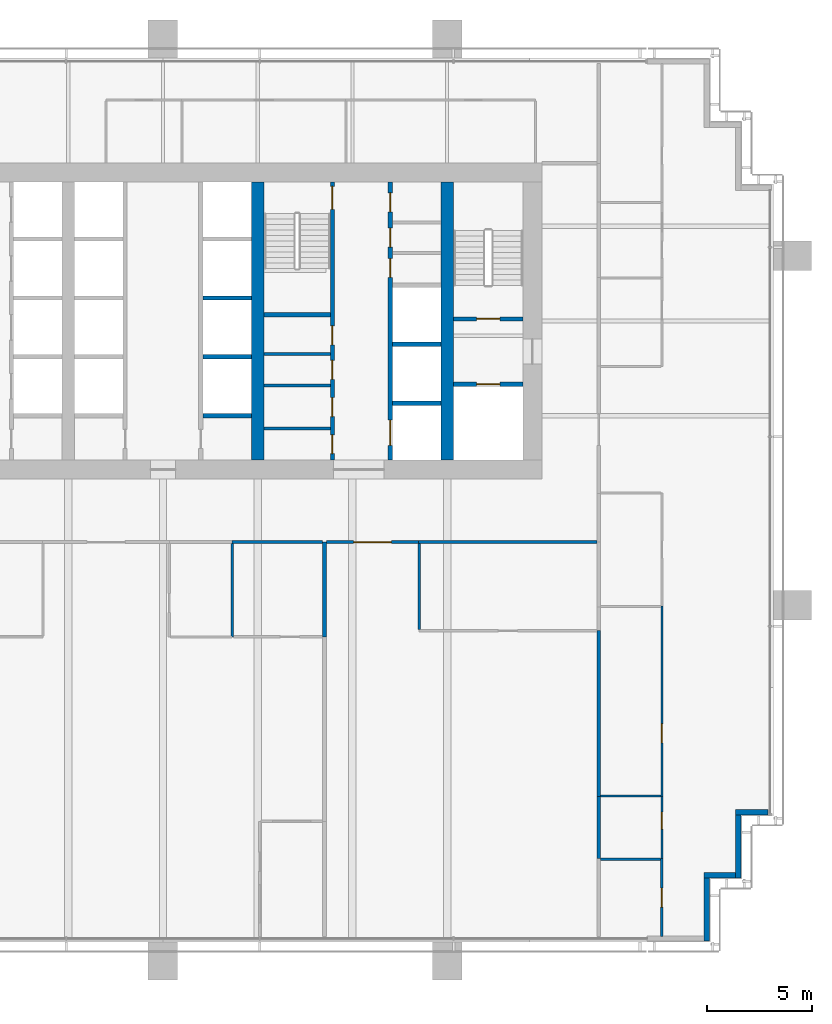
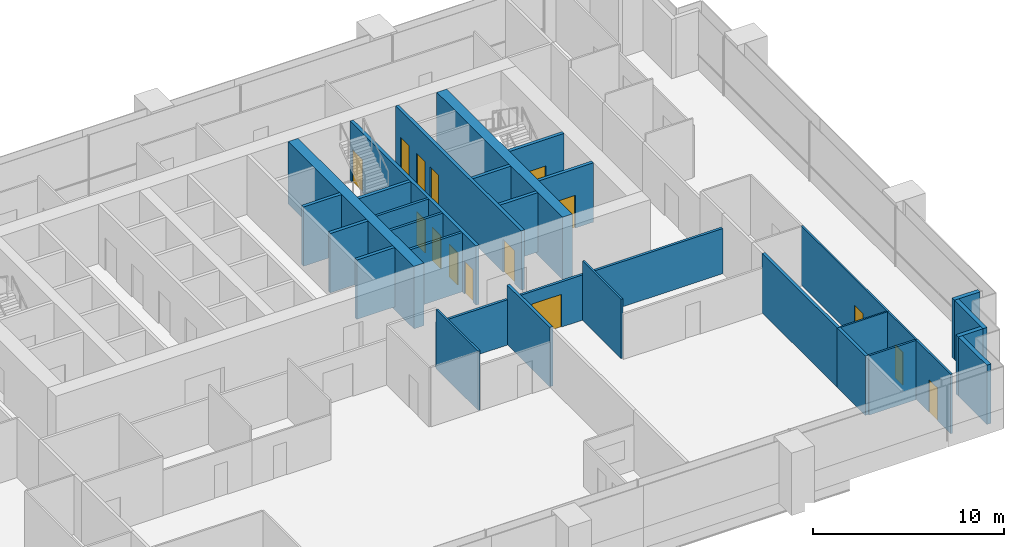
# One storey, part 12 of 18: 32 walls, 15 doors, 15 openings.
"""IFC4 building model written with IfcOpenShell, lengths in metres."""

from ifc_helpers import new_model, si_unit, direction, frame, frame_2d, origin, place, context, subcontext, project, spatial, rectangle, extrude, material, layer, layer_set, type_object, element, fill, save


model = new_model("IFC4")

# Units and contexts
model_context = context("Model", 3, precision=1e-05, world=origin(), true_north=direction((0.0, 1.0)))
body_context = subcontext(model_context, "Body", "Model", "MODEL_VIEW")
ifc_project = project(units=[si_unit("LENGTHUNIT", "METRE"), si_unit("AREAUNIT", "SQUARE_METRE"), si_unit("VOLUMEUNIT", "CUBIC_METRE"), si_unit("PLANEANGLEUNIT", "RADIAN"), si_unit("MASSUNIT", "GRAM", prefix="KILO")], contexts=[model_context])

# Site, building, storey
site_placement = place(None, origin())
site = spatial("IfcSite", under=ifc_project, at=site_placement, CompositionType="ELEMENT")
building_placement = place(site_placement, origin())
building = spatial("IfcBuilding", under=site, at=building_placement, Name="Rattan Terrace Tower", CompositionType="ELEMENT")
storey_placement = place(building_placement, frame((0.0, 0.0, 134.10009765625)))
storey = spatial("IfcBuildingStorey", under=building, at=storey_placement, Name="L30", CompositionType="ELEMENT", Elevation=134.10009765625)

# Walls
ifc_material_1 = material(Name="Gypsum board partition")
ifc_layer_1 = layer(ifc_material_1, 0.14990234375)
ifc_layer_set_1 = layer_set([ifc_layer_1], Name="Core partition 150")
wall_type_1 = type_object("IfcWallType", Name="Core partition 150", PredefinedType="PARTITIONING", material=ifc_layer_set_1)
for number, where, z_axis, x_axis, name in (
    (1, (4.800048828125, -5.10400390625, 0.0), (0.0, 0.0, 1.0), (1.0, 0.0, 0.0), "Toilet wall"),
    (2, (4.800048828125, -3.06396484375, 0.0), (0.0, 0.0, 1.0), (1.0, 0.0, 0.0), "Toilet wall"),
    (3, (4.800048828125, -1.568115234375, 0.0), (0.0, 0.0, 1.0), (1.0, 0.0, 0.0), "Toilet wall"),
):
    element("IfcWall", number, at=place(storey_placement, frame(where, z_axis=z_axis, x_axis=x_axis)), inside=storey, type_object=wall_type_1, Name=name, PredefinedType="PARTITIONING", context=body_context, shape_type="SweptSolid", body=[
        extrude(rectangle(XDim=3.14990234375, YDim=0.14990234375, at=frame_2d((1.574951171875, 0.0))), origin(), (0.0, 0.0, 1.0), 3.7998046875),
    ])

# Wall, opening, door
ifc_material_2 = material(Name="Gypsum board partition")
ifc_layer_2 = layer(ifc_material_2, 0.199951171875)
ifc_layer_set_2 = layer_set([ifc_layer_2], Name="Core partition 200")
wall_type_2 = type_object("IfcWallType", Name="Core partition 200", PredefinedType="PARTITIONING", material=ifc_layer_set_2)
wall_1_placement = place(storey_placement, frame((13.800048828125, -3.0, 0.0), z_axis=(0.0, 0.0, 1.0), x_axis=(1.0, 0.0, 0.0)))
wall_1 = element("IfcWall", 4, at=wall_1_placement, inside=storey, type_object=wall_type_2, Name="Fire-fighting lobby wall", PredefinedType="PARTITIONING", context=body_context, shape_type="SweptSolid", body=[
    extrude(rectangle(XDim=3.300048828125, YDim=0.199951171875, at=frame_2d((1.64990234375, 0.0))), origin(), (0.0, 0.0, 1.0), 3.7998046875),
])
opening_1_placement = place(wall_1_placement, frame((1.10009765625, 0.0, 0.0)))
opening_1 = element("IfcOpeningElement", 5, at=opening_1_placement, cuts=wall_1, Name="Opening L30-LD-FF2", PredefinedType="OPENING", context=body_context, shape_type="SweptSolid", body=[
    extrude(rectangle(XDim=1.10009765625, YDim=2.10009765625, at=frame_2d((0.550048828125, 1.050048828125))), frame((0.0, 0.110595703125, 0.0), z_axis=(0.0, -1.0, 0.0), x_axis=(1.0, 0.0, 0.0)), (0.0, 0.0, 1.0), 0.220947265625),
])
ifc_material_3 = material(Name="Brushed stainless landing door panel")
door_type_1 = type_object("IfcDoorType", Name="Core lift landing door 1100", OperationType="DOUBLE_DOOR_SLIDING", PredefinedType="DOOR", material=ifc_material_3)
door_1_placement = place(opening_1_placement, origin())
door_1 = element("IfcDoor", 6, at=door_1_placement, inside=storey, type_object=door_type_1, Name="Door L30-LD-FF2", OperationType="DOUBLE_DOOR_SLIDING", OverallHeight=2.10009765625, OverallWidth=1.10009765625, PredefinedType="DOOR", context=body_context, shape_type="SweptSolid", body=[
    extrude(rectangle(XDim=1.10009765625, YDim=2.10009765625, at=frame_2d((0.550048828125, 1.050048828125))), frame((0.0, 0.02490234375, 0.0), z_axis=(0.0, -1.0, 0.0), x_axis=(1.0, 0.0, 0.0)), (0.0, 0.0, 1.0), 0.050048828125),
])
fill(opening_1, door_1)

wall_2_placement = place(storey_placement, frame((13.800048828125, 0.10009765625, 0.0), z_axis=(0.0, 0.0, 1.0), x_axis=(1.0, 0.0, 0.0)))
wall_2 = element("IfcWall", 7, at=wall_2_placement, inside=storey, type_object=wall_type_2, Name="Stair enclosure wall", PredefinedType="PARTITIONING", context=body_context, shape_type="SweptSolid", body=[
    extrude(rectangle(XDim=3.300048828125, YDim=0.199951171875, at=frame_2d((1.64990234375, 0.0))), origin(), (0.0, 0.0, 1.0), 3.7998046875),
])
opening_2_placement = place(wall_2_placement, frame((1.10009765625, 0.0, 0.0)))
opening_2 = element("IfcOpeningElement", 8, at=opening_2_placement, cuts=wall_2, Name="Opening L30-D004", PredefinedType="OPENING", context=body_context, shape_type="SweptSolid", body=[
    extrude(rectangle(XDim=1.10009765625, YDim=2.10009765625, at=frame_2d((0.550048828125, 1.050048828125))), frame((0.0, 0.110595703125, 0.0), z_axis=(0.0, -1.0, 0.0), x_axis=(1.0, 0.0, 0.0)), (0.0, 0.0, 1.0), 0.220947265625),
])
ifc_material_4 = material(Name="Hollow-metal fire door leaf")
door_type_2 = type_object("IfcDoorType", Name="Core stair door 1100", OperationType="NOTDEFINED", PredefinedType="DOOR", material=ifc_material_4)
door_2_placement = place(opening_2_placement, origin())
door_2 = element("IfcDoor", 9, at=door_2_placement, inside=storey, type_object=door_type_2, Name="Door L30-D004", OperationType="SINGLE_SWING_RIGHT", OverallHeight=2.10009765625, OverallWidth=1.10009765625, PredefinedType="DOOR", context=body_context, shape_type="SweptSolid", body=[
    extrude(rectangle(XDim=1.10009765625, YDim=2.10009765625, at=frame_2d((0.550048828125, 1.050048828125))), frame((0.0, 0.02490234375, 0.0), z_axis=(0.0, -1.0, 0.0), x_axis=(1.0, 0.0, 0.0)), (0.0, 0.0, 1.0), 0.050048828125),
])
fill(opening_2, door_2)

# Wall, openings, doors
wall_3_placement = place(storey_placement, frame((8.050048828125, -6.60009765625, 0.0), z_axis=(0.0, 0.0, 1.0), x_axis=(0.0, 1.0, 0.0)))
wall_3 = element("IfcWall", 10, at=wall_3_placement, inside=storey, type_object=wall_type_2, Name="Lobby wall west", PredefinedType="PARTITIONING", context=body_context, shape_type="SweptSolid", body=[
    extrude(rectangle(XDim=13.2001953125, YDim=0.199951171875, at=frame_2d((6.60009765625, 0.0))), origin(), (0.0, 0.0, 1.0), 3.7998046875),
])
opening_3_placement = place(wall_3_placement, frame((0.298095703125, 0.0, 0.0)))
opening_3 = element("IfcOpeningElement", 11, at=opening_3_placement, cuts=wall_3, Name="Opening L30-D011", PredefinedType="OPENING", context=body_context, shape_type="SweptSolid", body=[
    extrude(rectangle(XDim=0.89990234375, YDim=2.10009765625, at=frame_2d((0.449951171875, 1.050048828125))), frame((0.0, 0.110595703125, 0.0), z_axis=(0.0, -1.0, 0.0), x_axis=(1.0, 0.0, 0.0)), (0.0, 0.0, 1.0), 0.220947265625),
])
opening_4_placement = place(wall_3_placement, frame((2.06591796875, 0.0, 0.0)))
opening_4 = element("IfcOpeningElement", 12, at=opening_4_placement, cuts=wall_3, Name="Opening L30-D012", PredefinedType="OPENING", context=body_context, shape_type="SweptSolid", body=[
    extrude(rectangle(XDim=0.89990234375, YDim=2.10009765625, at=frame_2d((0.449951171875, 1.050048828125))), frame((0.0, 0.110595703125, 0.0), z_axis=(0.0, -1.0, 0.0), x_axis=(1.0, 0.0, 0.0)), (0.0, 0.0, 1.0), 0.220947265625),
])
opening_5_placement = place(wall_3_placement, frame((3.833984375, 0.0, 0.0)))
opening_5 = element("IfcOpeningElement", 13, at=opening_5_placement, cuts=wall_3, Name="Opening L30-D013", PredefinedType="OPENING", context=body_context, shape_type="SweptSolid", body=[
    extrude(rectangle(XDim=0.89990234375, YDim=2.10009765625, at=frame_2d((0.449951171875, 1.050048828125))), frame((0.0, 0.110595703125, 0.0), z_axis=(0.0, -1.0, 0.0), x_axis=(1.0, 0.0, 0.0)), (0.0, 0.0, 1.0), 0.220947265625),
])
opening_6_placement = place(wall_3_placement, frame((5.466064453125, 0.0, 0.0)))
opening_6 = element("IfcOpeningElement", 14, at=opening_6_placement, cuts=wall_3, Name="Opening L30-D014", PredefinedType="OPENING", context=body_context, shape_type="SweptSolid", body=[
    extrude(rectangle(XDim=0.89990234375, YDim=2.10009765625, at=frame_2d((0.449951171875, 1.050048828125))), frame((0.0, 0.110595703125, 0.0), z_axis=(0.0, -1.0, 0.0), x_axis=(1.0, 0.0, 0.0)), (0.0, 0.0, 1.0), 0.220947265625),
])
opening_7_placement = place(wall_3_placement, frame((11.89990234375, 0.0, 0.0)))
opening_7 = element("IfcOpeningElement", 15, at=opening_7_placement, cuts=wall_3, Name="Opening L30-D015", PredefinedType="OPENING", context=body_context, shape_type="SweptSolid", body=[
    extrude(rectangle(XDim=1.10009765625, YDim=2.10009765625, at=frame_2d((0.550048828125, 1.050048828125))), frame((0.0, 0.110595703125, 0.0), z_axis=(0.0, -1.0, 0.0), x_axis=(1.0, 0.0, 0.0)), (0.0, 0.0, 1.0), 0.220947265625),
])
ifc_material_5 = material(Name="Hollow-metal fire door leaf")
door_type_3 = type_object("IfcDoorType", Name="Core service room door 900", OperationType="NOTDEFINED", PredefinedType="DOOR", material=ifc_material_5)
door_3_placement = place(opening_6_placement, origin())
door_3 = element("IfcDoor", 16, at=door_3_placement, inside=storey, type_object=door_type_3, Name="Door L30-D014", OperationType="SINGLE_SWING_LEFT", OverallHeight=2.10009765625, OverallWidth=0.89990234375, PredefinedType="DOOR", context=body_context, shape_type="SweptSolid", body=[
    extrude(rectangle(XDim=0.89990234375, YDim=2.10009765625, at=frame_2d((0.449951171875, 1.050048828125))), frame((0.0, 0.02490234375, 0.0), z_axis=(0.0, -1.0, 0.0), x_axis=(1.0, 0.0, 0.0)), (0.0, 0.0, 1.0), 0.050048828125),
])
fill(opening_6, door_3)
door_4_placement = place(opening_7_placement, origin())
door_4 = element("IfcDoor", 17, at=door_4_placement, inside=storey, type_object=door_type_2, Name="Door L30-D015", OperationType="SINGLE_SWING_RIGHT", OverallHeight=2.10009765625, OverallWidth=1.10009765625, PredefinedType="DOOR", context=body_context, shape_type="SweptSolid", body=[
    extrude(rectangle(XDim=1.10009765625, YDim=2.10009765625, at=frame_2d((0.550048828125, 1.050048828125))), frame((0.0, 0.02490234375, 0.0), z_axis=(0.0, -1.0, 0.0), x_axis=(1.0, 0.0, 0.0)), (0.0, 0.0, 1.0), 0.050048828125),
])
fill(opening_7, door_4)
ifc_material_6 = material(Name="Hollow-metal fire door leaf")
door_type_4 = type_object("IfcDoorType", Name="Core toilet door 900", OperationType="NOTDEFINED", PredefinedType="DOOR", material=ifc_material_6)
door_5_placement = place(opening_3_placement, origin())
door_5 = element("IfcDoor", 18, at=door_5_placement, inside=storey, type_object=door_type_4, Name="Door L30-D011", OperationType="SINGLE_SWING_RIGHT", OverallHeight=2.10009765625, OverallWidth=0.89990234375, PredefinedType="DOOR", context=body_context, shape_type="SweptSolid", body=[
    extrude(rectangle(XDim=0.89990234375, YDim=2.10009765625, at=frame_2d((0.449951171875, 1.050048828125))), frame((0.0, 0.02490234375, 0.0), z_axis=(0.0, -1.0, 0.0), x_axis=(1.0, 0.0, 0.0)), (0.0, 0.0, 1.0), 0.050048828125),
])
fill(opening_3, door_5)
door_6_placement = place(opening_4_placement, origin())
door_6 = element("IfcDoor", 19, at=door_6_placement, inside=storey, type_object=door_type_4, Name="Door L30-D012", OperationType="SINGLE_SWING_LEFT", OverallHeight=2.10009765625, OverallWidth=0.89990234375, PredefinedType="DOOR", context=body_context, shape_type="SweptSolid", body=[
    extrude(rectangle(XDim=0.89990234375, YDim=2.10009765625, at=frame_2d((0.449951171875, 1.050048828125))), frame((0.0, 0.02490234375, 0.0), z_axis=(0.0, -1.0, 0.0), x_axis=(1.0, 0.0, 0.0)), (0.0, 0.0, 1.0), 0.050048828125),
])
fill(opening_4, door_6)
door_7_placement = place(opening_5_placement, origin())
door_7 = element("IfcDoor", 20, at=door_7_placement, inside=storey, type_object=door_type_4, Name="Door L30-D013", OperationType="SINGLE_SWING_RIGHT", OverallHeight=2.10009765625, OverallWidth=0.89990234375, PredefinedType="DOOR", context=body_context, shape_type="SweptSolid", body=[
    extrude(rectangle(XDim=0.89990234375, YDim=2.10009765625, at=frame_2d((0.449951171875, 1.050048828125))), frame((0.0, 0.02490234375, 0.0), z_axis=(0.0, -1.0, 0.0), x_axis=(1.0, 0.0, 0.0)), (0.0, 0.0, 1.0), 0.050048828125),
])
fill(opening_5, door_7)

# Walls
wall_4_placement = place(storey_placement, frame((4.800048828125, 0.300048828125, 0.0), z_axis=(0.0, 0.0, 1.0), x_axis=(1.0, 0.0, 0.0)))
element("IfcWall", 21, at=wall_4_placement, inside=storey, type_object=wall_type_2, Name="Stair enclosure wall", PredefinedType="PARTITIONING", context=body_context, shape_type="SweptSolid", body=[
    extrude(rectangle(XDim=3.14990234375, YDim=0.199951171875, at=frame_2d((1.574951171875, 0.0))), origin(), (0.0, 0.0, 1.0), 3.7998046875),
])
ifc_material_7 = material(Name="Concrete C60/75", Category="concrete")
ifc_layer_3 = layer(ifc_material_7, 0.60009765625)
ifc_layer_set_3 = layer_set([ifc_layer_3], Name="Core spine wall 600 C60/75")
wall_type_3 = type_object("IfcWallType", Name="Core spine wall 600 C60/75", PredefinedType="SHEAR", material=ifc_layer_set_3)
for number, where, z_axis, x_axis, name in (
    (22, (4.5, -6.60009765625, -0.2001953125), (0.0, 0.0, 1.0), (0.0, 1.0, 0.0), "Core spine wall 3"),
    (23, (13.5, -6.60009765625, -0.2001953125), (0.0, 0.0, 1.0), (0.0, 1.0, 0.0), "Core spine wall 4"),
):
    element("IfcWall", number, at=place(storey_placement, frame(where, z_axis=z_axis, x_axis=x_axis)), inside=storey, type_object=wall_type_3, Name=name, PredefinedType="SHEAR", context=body_context, shape_type="SweptSolid", body=[
        extrude(rectangle(XDim=13.2001953125, YDim=0.60009765625, at=frame_2d((6.60009765625, 0.0))), origin(), (0.0, 0.0, 1.0), 4.0),
    ])
ifc_material_8 = material(Name="Insulated aluminium-clad stud wall", Category="aluminium")
ifc_layer_4 = layer(ifc_material_8, 0.25)
ifc_layer_set_4 = layer_set([ifc_layer_4], Name="Facade Riser Wall 250")
wall_type_4 = type_object("IfcWallType", Name="Facade Riser Wall 250", PredefinedType="SOLIDWALL", material=ifc_layer_set_4)
wall_5_placement = place(storey_placement, frame((25.830078125, -29.455078125, 0.0), z_axis=(0.0, 0.0, 1.0), x_axis=(0.0, 1.0, 0.0)))
element("IfcWall", 24, at=wall_5_placement, inside=storey, type_object=wall_type_4, Name="Riser wall L30-2", PredefinedType="SOLIDWALL", context=body_context, shape_type="SweptSolid", body=[
    extrude(rectangle(XDim=3.0, YDim=0.25, at=frame_2d((1.5, 0.0))), origin(), (0.0, 0.0, 1.0), 3.7998046875),
])
wall_6_placement = place(storey_placement, frame((25.705078125, -26.330078125, 0.0), z_axis=(0.0, 0.0, 1.0), x_axis=(1.0, 0.0, 0.0)))
element("IfcWall", 25, at=wall_6_placement, inside=storey, type_object=wall_type_4, Name="Riser wall L30-3", PredefinedType="SOLIDWALL", context=body_context, shape_type="SweptSolid", body=[
    extrude(rectangle(XDim=1.5, YDim=0.25, at=frame_2d((0.75, 0.0))), origin(), (0.0, 0.0, 1.0), 3.7998046875),
])
wall_7_placement = place(storey_placement, frame((27.330078125, -26.455078125, 0.0), z_axis=(0.0, 0.0, 1.0), x_axis=(0.0, 1.0, 0.0)))
element("IfcWall", 26, at=wall_7_placement, inside=storey, type_object=wall_type_4, Name="Riser wall L30-4", PredefinedType="SOLIDWALL", context=body_context, shape_type="SweptSolid", body=[
    extrude(rectangle(XDim=3.0, YDim=0.25, at=frame_2d((1.5, 0.0))), origin(), (0.0, 0.0, 1.0), 3.7998046875),
])
wall_8_placement = place(storey_placement, frame((27.205078125, -23.330078125, 0.0), z_axis=(0.0, 0.0, 1.0), x_axis=(1.0, 0.0, 0.0)))
element("IfcWall", 27, at=wall_8_placement, inside=storey, type_object=wall_type_4, Name="Riser wall L30-5", PredefinedType="SOLIDWALL", context=body_context, shape_type="SweptSolid", body=[
    extrude(rectangle(XDim=1.544921875, YDim=0.25, at=frame_2d((0.7724609375, 0.0))), origin(), (0.0, 0.0, 1.0), 3.7998046875),
])
ifc_material_9 = material(Name="Double steel stud acoustic partition, gypsum board, mineral wool, fire rated", Category="steel")
ifc_layer_5 = layer(ifc_material_9, 0.179931640625)
ifc_layer_set_5 = layer_set([ifc_layer_5], Name="Floors Acoustic Party Wall 180")
wall_type_5 = type_object("IfcWallType", Name="Floors Acoustic Party Wall 180", PredefinedType="PARTITIONING", material=ifc_layer_set_5)
wall_9_placement = place(storey_placement, frame((7.6669921875, -10.5, 0.0), z_axis=(0.0, 0.0, 1.0), x_axis=(0.0, -1.0, 0.0)))
element("IfcWall", 28, at=wall_9_placement, inside=storey, type_object=wall_type_5, Name="pt-L30-054", PredefinedType="PARTITIONING", context=body_context, shape_type="SweptSolid", body=[
    extrude(rectangle(XDim=4.5, YDim=0.179931640625, at=frame_2d((2.25, 0.0))), origin(), (0.0, 0.0, 1.0), 3.7998046875),
])
wall_10_placement = place(storey_placement, frame((20.699951171875, -22.580078125, 0.0), z_axis=(0.0, 0.0, 1.0), x_axis=(0.0, -1.0, 0.0)))
element("IfcWall", 29, at=wall_10_placement, inside=storey, type_object=wall_type_5, Name="pt-L30-058", PredefinedType="PARTITIONING", context=body_context, shape_type="SweptSolid", body=[
    extrude(rectangle(XDim=2.9599609375, YDim=0.179931640625, at=frame_2d((1.47998046875, 0.0))), origin(), (0.0, 0.0, 1.0), 3.7998046875),
])
wall_11_placement = place(storey_placement, frame((20.699951171875, -14.699951171875, 0.0), z_axis=(0.0, 0.0, 1.0), x_axis=(0.0, -1.0, 0.0)))
element("IfcWall", 30, at=wall_11_placement, inside=storey, type_object=wall_type_5, Name="pt-L30-059", PredefinedType="PARTITIONING", context=body_context, shape_type="SweptSolid", body=[
    extrude(rectangle(XDim=7.880126953125, YDim=0.179931640625, at=frame_2d((3.93994140625, 0.0))), origin(), (0.0, 0.0, 1.0), 3.7998046875),
])

# Wall, opening, door
ifc_material_10 = material(Name="Gypsum board partition on steel studs", Category="steel")
ifc_layer_6 = layer(ifc_material_10, 0.10009765625)
ifc_layer_set_6 = layer_set([ifc_layer_6], Name="Floors Partition 100")
wall_type_6 = type_object("IfcWallType", Name="Floors Partition 100", PredefinedType="PARTITIONING", material=ifc_layer_set_6)
wall_12_placement = place(storey_placement, frame((23.699951171875, -25.5400390625, 0.0), z_axis=(0.0, 0.0, 1.0), x_axis=(0.0, 1.0, 0.0)))
wall_12 = element("IfcWall", 31, at=wall_12_placement, inside=storey, type_object=wall_type_6, Name="pt-L30-063", PredefinedType="PARTITIONING", context=body_context, shape_type="SweptSolid", body=[
    extrude(rectangle(XDim=2.9599609375, YDim=0.10009765625, at=frame_2d((1.47998046875, 0.0))), origin(), (0.0, 0.0, 1.0), 3.7998046875),
])
opening_8_placement = place(wall_12_placement, frame((1.412109375, 0.0, 0.0)))
opening_8 = element("IfcOpeningElement", 32, at=opening_8_placement, cuts=wall_12, Name="Opening L30-D118", PredefinedType="OPENING", context=body_context, shape_type="SweptSolid", body=[
    extrude(rectangle(XDim=0.800048828125, YDim=2.10009765625, at=frame_2d((0.39990234375, 1.050048828125))), frame((0.0, 0.060546875, 0.0), z_axis=(0.0, -1.0, 0.0), x_axis=(1.0, 0.0, 0.0)), (0.0, 0.0, 1.0), 0.12109375),
])
ifc_material_11 = material(Name="Solid core timber door, painted", Category="wood")
door_type_5 = type_object("IfcDoorType", Name="Floors Store Door 800x2100", OperationType="NOTDEFINED", PredefinedType="DOOR", material=ifc_material_11)
door_8_placement = place(opening_8_placement, origin())
door_8 = element("IfcDoor", 33, at=door_8_placement, inside=storey, type_object=door_type_5, Name="d-L30-118", OperationType="SINGLE_SWING_RIGHT", OverallHeight=2.10009765625, OverallWidth=0.800048828125, PredefinedType="DOOR", context=body_context, shape_type="SweptSolid", body=[
    extrude(rectangle(XDim=0.800048828125, YDim=2.10009765625, at=frame_2d((0.39990234375, 1.050048828125))), frame((0.0, 0.02490234375, 0.0), z_axis=(0.0, -1.0, 0.0), x_axis=(1.0, 0.0, 0.0)), (0.0, 0.0, 1.0), 0.050048828125),
])
fill(opening_8, door_8)

wall_13_placement = place(storey_placement, frame((23.699951171875, -22.580078125, 0.0), z_axis=(0.0, 0.0, 1.0), x_axis=(0.0, 1.0, 0.0)))
wall_13 = element("IfcWall", 34, at=wall_13_placement, inside=storey, type_object=wall_type_6, Name="pt-L30-064", PredefinedType="PARTITIONING", context=body_context, shape_type="SweptSolid", body=[
    extrude(rectangle(XDim=9.0400390625, YDim=0.10009765625, at=frame_2d((4.52001953125, 0.0))), origin(), (0.0, 0.0, 1.0), 3.7998046875),
])
opening_9_placement = place(wall_13_placement, frame((2.5419921875, 0.0, 0.0)))
opening_9 = element("IfcOpeningElement", 35, at=opening_9_placement, cuts=wall_13, Name="Opening L30-D119", PredefinedType="OPENING", context=body_context, shape_type="SweptSolid", body=[
    extrude(rectangle(XDim=0.89990234375, YDim=2.10009765625, at=frame_2d((0.449951171875, 1.050048828125))), frame((0.0, 0.060546875, 0.0), z_axis=(0.0, -1.0, 0.0), x_axis=(1.0, 0.0, 0.0)), (0.0, 0.0, 1.0), 0.12109375),
])
ifc_material_12 = material(Name="Solid core timber door, painted", Category="wood")
door_type_6 = type_object("IfcDoorType", Name="Floors Door 900x2100", OperationType="NOTDEFINED", PredefinedType="DOOR", material=ifc_material_12)
door_9_placement = place(opening_9_placement, origin())
door_9 = element("IfcDoor", 36, at=door_9_placement, inside=storey, type_object=door_type_6, Name="d-L30-119", OperationType="SINGLE_SWING_LEFT", OverallHeight=2.10009765625, OverallWidth=0.89990234375, PredefinedType="DOOR", context=body_context, shape_type="SweptSolid", body=[
    extrude(rectangle(XDim=0.89990234375, YDim=2.10009765625, at=frame_2d((0.449951171875, 1.050048828125))), frame((0.0, 0.02490234375, 0.0), z_axis=(0.0, -1.0, 0.0), x_axis=(1.0, 0.0, 0.0)), (0.0, 0.0, 1.0), 0.050048828125),
])
fill(opening_9, door_9)

# Walls
wall_14_placement = place(storey_placement, frame((20.7900390625, -22.56005859375, 0.0), z_axis=(0.0, 0.0, 1.0), x_axis=(1.0, 0.0, 0.0)))
element("IfcWall", 37, at=wall_14_placement, inside=storey, type_object=wall_type_6, Name="pt-L30-072", PredefinedType="PARTITIONING", context=body_context, shape_type="SweptSolid", body=[
    extrude(rectangle(XDim=2.85986328125, YDim=0.10009765625, at=frame_2d((1.429931640625, 0.0))), origin(), (0.0, 0.0, 1.0), 3.7998046875),
])
ifc_material_13 = material(Name="Gypsum board partition on steel studs, fire rated", Category="steel")
ifc_layer_7 = layer(ifc_material_13, 0.14990234375)
ifc_layer_set_7 = layer_set([ifc_layer_7], Name="Floors Tenancy Wall 150")
wall_type_7 = type_object("IfcWallType", Name="Floors Tenancy Wall 150", PredefinedType="PARTITIONING", material=ifc_layer_set_7)
wall_15_placement = place(storey_placement, frame((7.576904296875, -10.5, 0.0), z_axis=(0.0, 0.0, 1.0), x_axis=(-1.0, 0.0, 0.0)))
element("IfcWall", 38, at=wall_15_placement, inside=storey, type_object=wall_type_7, Name="pt-L30-010", PredefinedType="PARTITIONING", context=body_context, shape_type="SweptSolid", body=[
    extrude(rectangle(XDim=4.296875, YDim=0.14990234375, at=frame_2d((2.1484375, 0.0))), origin(), (0.0, 0.0, 1.0), 2.89990234375),
])

# Wall, opening, door
wall_16_placement = place(storey_placement, frame((12.14697265625, -10.5, 0.0), z_axis=(0.0, 0.0, 1.0), x_axis=(-1.0, 0.0, 0.0)))
wall_16 = element("IfcWall", 39, at=wall_16_placement, inside=storey, type_object=wall_type_7, Name="pt-L30-011", PredefinedType="PARTITIONING", context=body_context, shape_type="SweptSolid", body=[
    extrude(rectangle(XDim=4.389892578125, YDim=0.14990234375, at=frame_2d((2.19482421875, 0.0))), origin(), (0.0, 0.0, 1.0), 2.89990234375),
])
opening_10_placement = place(wall_16_placement, frame((1.294921875, 0.0, 0.0)))
opening_10 = element("IfcOpeningElement", 40, at=opening_10_placement, cuts=wall_16, Name="Opening L30-D114", PredefinedType="OPENING", context=body_context, shape_type="SweptSolid", body=[
    extrude(rectangle(XDim=1.800048828125, YDim=2.10009765625, at=frame_2d((0.89990234375, 1.050048828125))), frame((0.0, 0.08544921875, 0.0), z_axis=(0.0, -1.0, 0.0), x_axis=(1.0, 0.0, 0.0)), (0.0, 0.0, 1.0), 0.1708984375),
])
ifc_material_14 = material(Name="Steel fire door set", Category="steel")
door_type_7 = type_object("IfcDoorType", Name="Floors Fire Door Pair FD30S 1800x2100", OperationType="NOTDEFINED", PredefinedType="DOOR", material=ifc_material_14)
door_10_placement = place(opening_10_placement, origin())
door_10 = element("IfcDoor", 41, at=door_10_placement, inside=storey, type_object=door_type_7, Name="d-L30-114", OperationType="DOUBLE_DOOR_SINGLE_SWING", OverallHeight=2.10009765625, OverallWidth=1.800048828125, PredefinedType="DOOR", context=body_context, shape_type="SweptSolid", body=[
    extrude(rectangle(XDim=1.800048828125, YDim=2.10009765625, at=frame_2d((0.89990234375, 1.050048828125))), frame((0.0, 0.02490234375, 0.0), z_axis=(0.0, -1.0, 0.0), x_axis=(1.0, 0.0, 0.0)), (0.0, 0.0, 1.0), 0.050048828125),
])
fill(opening_10, door_10)

# Walls
wall_17_placement = place(storey_placement, frame((20.610107421875, -10.5, 0.0), z_axis=(0.0, 0.0, 1.0), x_axis=(-1.0, 0.0, 0.0)))
element("IfcWall", 42, at=wall_17_placement, inside=storey, type_object=wall_type_7, Name="pt-L30-012", PredefinedType="PARTITIONING", context=body_context, shape_type="SweptSolid", body=[
    extrude(rectangle(XDim=8.463134765625, YDim=0.14990234375, at=frame_2d((4.2314453125, 0.0))), origin(), (0.0, 0.0, 1.0), 2.89990234375),
])
ifc_material_15 = material(Name="Moisture resistant gypsum board partition on steel studs with service cavity", Category="steel")
ifc_layer_8 = layer(ifc_material_15, 0.1201171875)
ifc_layer_set_8 = layer_set([ifc_layer_8], Name="Floors Wet Wall 120")
wall_type_8 = type_object("IfcWallType", Name="Floors Wet Wall 120", PredefinedType="PARTITIONING", material=ifc_layer_set_8)
wall_18_placement = place(storey_placement, frame((3.300048828125, -10.574951171875, 0.0), z_axis=(0.0, 0.0, 1.0), x_axis=(0.0, -1.0, 0.0)))
element("IfcWall", 43, at=wall_18_placement, inside=storey, type_object=wall_type_8, Name="pt-L30-053", PredefinedType="PARTITIONING", context=body_context, shape_type="SweptSolid", body=[
    extrude(rectangle(XDim=4.425048828125, YDim=0.1201171875, at=frame_2d((2.21240234375, 0.0))), origin(), (0.0, 0.0, 1.0), 3.7998046875),
])
wall_19_placement = place(storey_placement, frame((12.1669921875, -10.574951171875, 0.0), z_axis=(0.0, 0.0, 1.0), x_axis=(0.0, -1.0, 0.0)))
element("IfcWall", 44, at=wall_19_placement, inside=storey, type_object=wall_type_8, Name="pt-L30-055", PredefinedType="PARTITIONING", context=body_context, shape_type="SweptSolid", body=[
    extrude(rectangle(XDim=4.06494140625, YDim=0.1201171875, at=frame_2d((2.032470703125, 0.0))), origin(), (0.0, 0.0, 1.0), 3.7998046875),
])

# Wall, opening, door
wall_20_placement = place(storey_placement, frame((23.699951171875, -29.239990234375, 0.0), z_axis=(0.0, 0.0, 1.0), x_axis=(0.0, 1.0, 0.0)))
wall_20 = element("IfcWall", 45, at=wall_20_placement, inside=storey, type_object=wall_type_8, Name="pt-L30-062", PredefinedType="PARTITIONING", context=body_context, shape_type="SweptSolid", body=[
    extrude(rectangle(XDim=3.699951171875, YDim=0.1201171875, at=frame_2d((1.85009765625, 0.0))), origin(), (0.0, 0.0, 1.0), 3.7998046875),
])
opening_11_placement = place(wall_20_placement, frame((1.39990234375, 0.0, 0.0)))
opening_11 = element("IfcOpeningElement", 46, at=opening_11_placement, cuts=wall_20, Name="Opening L30-D117", PredefinedType="OPENING", context=body_context, shape_type="SweptSolid", body=[
    extrude(rectangle(XDim=0.89990234375, YDim=2.10009765625, at=frame_2d((0.449951171875, 1.050048828125))), frame((0.0, 0.070556640625, 0.0), z_axis=(0.0, -1.0, 0.0), x_axis=(1.0, 0.0, 0.0)), (0.0, 0.0, 1.0), 0.14111328125),
])
door_11_placement = place(opening_11_placement, origin())
door_11 = element("IfcDoor", 47, at=door_11_placement, inside=storey, type_object=door_type_6, Name="d-L30-117", OperationType="SINGLE_SWING_RIGHT", OverallHeight=2.10009765625, OverallWidth=0.89990234375, PredefinedType="DOOR", context=body_context, shape_type="SweptSolid", body=[
    extrude(rectangle(XDim=0.89990234375, YDim=2.10009765625, at=frame_2d((0.449951171875, 1.050048828125))), frame((0.0, 0.02490234375, 0.0), z_axis=(0.0, -1.0, 0.0), x_axis=(1.0, 0.0, 0.0)), (0.0, 0.0, 1.0), 0.050048828125),
])
fill(opening_11, door_11)

# Walls
wall_21_placement = place(storey_placement, frame((20.7900390625, -25.56005859375, 0.0), z_axis=(0.0, 0.0, 1.0), x_axis=(1.0, 0.0, 0.0)))
element("IfcWall", 48, at=wall_21_placement, inside=storey, type_object=wall_type_8, Name="pt-L30-071", PredefinedType="PARTITIONING", context=body_context, shape_type="SweptSolid", body=[
    extrude(rectangle(XDim=2.849853515625, YDim=0.1201171875, at=frame_2d((1.4248046875, 0.0))), origin(), (0.0, 0.0, 1.0), 3.7998046875),
])
ifc_material_16 = material(Name="Gypsum shaft wall system")
ifc_layer_9 = layer(ifc_material_16, 0.199951171875)
ifc_layer_set_9 = layer_set([ifc_layer_9], Name="Lift shaft wall 200")
wall_type_9 = type_object("IfcWallType", Name="Lift shaft wall 200", PredefinedType="PARTITIONING", material=ifc_layer_set_9)
for number, where, z_axis, x_axis, name in (
    (49, (1.89990234375, -1.699951171875, 0.0), (0.0, 0.0, 1.0), (1.0, 0.0, 0.0), "Lift shaft wall"),
    (50, (1.89990234375, 1.10009765625, 0.0), (0.0, 0.0, 1.0), (1.0, 0.0, 0.0), "Lift shaft wall"),
    (51, (1.89990234375, -4.5, 0.0), (0.0, 0.0, 1.0), (1.0, 0.0, 0.0), "Lift shaft wall"),
):
    element("IfcWall", number, at=place(storey_placement, frame(where, z_axis=z_axis, x_axis=x_axis)), inside=storey, type_object=wall_type_9, Name=name, PredefinedType="PARTITIONING", context=body_context, shape_type="SweptSolid", body=[
        extrude(rectangle(XDim=2.300048828125, YDim=0.199951171875, at=frame_2d((1.14990234375, 0.0))), origin(), (0.0, 0.0, 1.0), 3.7998046875),
    ])

# Wall, openings, doors
wall_22_placement = place(storey_placement, frame((10.800048828125, -6.60009765625, 0.0), z_axis=(0.0, 0.0, 1.0), x_axis=(0.0, 1.0, 0.0)))
wall_22 = element("IfcWall", 52, at=wall_22_placement, inside=storey, type_object=wall_type_9, Name="Lift shaft front wall", PredefinedType="PARTITIONING", context=body_context, shape_type="SweptSolid", body=[
    extrude(rectangle(XDim=13.2001953125, YDim=0.199951171875, at=frame_2d((6.60009765625, 0.0))), origin(), (0.0, 0.0, 1.0), 3.7998046875),
])
opening_12_placement = place(wall_22_placement, frame((0.699951171875, 0.0, 0.0)))
opening_12 = element("IfcOpeningElement", 53, at=opening_12_placement, cuts=wall_22, Name="Opening L30-LD-SV1", PredefinedType="OPENING", context=body_context, shape_type="SweptSolid", body=[
    extrude(rectangle(XDim=1.199951171875, YDim=2.10009765625, at=frame_2d((0.60009765625, 1.050048828125))), frame((0.0, 0.110595703125, 0.0), z_axis=(0.0, -1.0, 0.0), x_axis=(1.0, 0.0, 0.0)), (0.0, 0.0, 1.0), 0.220947265625),
])
opening_13_placement = place(wall_22_placement, frame((8.669921875, 0.0, 0.0)))
opening_13 = element("IfcOpeningElement", 54, at=opening_13_placement, cuts=wall_22, Name="Opening L30-D017", PredefinedType="OPENING", context=body_context, shape_type="SweptSolid", body=[
    extrude(rectangle(XDim=0.89990234375, YDim=2.10009765625, at=frame_2d((0.449951171875, 1.050048828125))), frame((0.0, 0.110595703125, 0.0), z_axis=(0.0, -1.0, 0.0), x_axis=(1.0, 0.0, 0.0)), (0.0, 0.0, 1.0), 0.220947265625),
])
opening_14_placement = place(wall_22_placement, frame((10.110107421875, 0.0, 0.0)))
opening_14 = element("IfcOpeningElement", 55, at=opening_14_placement, cuts=wall_22, Name="Opening L30-D018", PredefinedType="OPENING", context=body_context, shape_type="SweptSolid", body=[
    extrude(rectangle(XDim=0.89990234375, YDim=2.10009765625, at=frame_2d((0.449951171875, 1.050048828125))), frame((0.0, 0.110595703125, 0.0), z_axis=(0.0, -1.0, 0.0), x_axis=(1.0, 0.0, 0.0)), (0.0, 0.0, 1.0), 0.220947265625),
])
opening_15_placement = place(wall_22_placement, frame((11.7900390625, 0.0, 0.0)))
opening_15 = element("IfcOpeningElement", 56, at=opening_15_placement, cuts=wall_22, Name="Opening L30-D019", PredefinedType="OPENING", context=body_context, shape_type="SweptSolid", body=[
    extrude(rectangle(XDim=0.89990234375, YDim=2.10009765625, at=frame_2d((0.449951171875, 1.050048828125))), frame((0.0, 0.110595703125, 0.0), z_axis=(0.0, -1.0, 0.0), x_axis=(1.0, 0.0, 0.0)), (0.0, 0.0, 1.0), 0.220947265625),
])
ifc_material_17 = material(Name="Brushed stainless landing door panel")
door_type_8 = type_object("IfcDoorType", Name="Core lift landing door 1200", OperationType="DOUBLE_DOOR_SLIDING", PredefinedType="DOOR", material=ifc_material_17)
door_12_placement = place(opening_12_placement, origin())
door_12 = element("IfcDoor", 57, at=door_12_placement, inside=storey, type_object=door_type_8, Name="Door L30-LD-SV1", OperationType="DOUBLE_DOOR_SLIDING", OverallHeight=2.10009765625, OverallWidth=1.199951171875, PredefinedType="DOOR", context=body_context, shape_type="SweptSolid", body=[
    extrude(rectangle(XDim=1.199951171875, YDim=2.10009765625, at=frame_2d((0.60009765625, 1.050048828125))), frame((0.0, 0.02490234375, 0.0), z_axis=(0.0, -1.0, 0.0), x_axis=(1.0, 0.0, 0.0)), (0.0, 0.0, 1.0), 0.050048828125),
])
fill(opening_12, door_12)
ifc_material_18 = material(Name="Hollow-metal fire door leaf")
door_type_9 = type_object("IfcDoorType", Name="Core riser door 900", OperationType="NOTDEFINED", PredefinedType="DOOR", material=ifc_material_18)
door_13_placement = place(opening_13_placement, origin())
door_13 = element("IfcDoor", 58, at=door_13_placement, inside=storey, type_object=door_type_9, Name="Door L30-D017", OperationType="SINGLE_SWING_LEFT", OverallHeight=2.10009765625, OverallWidth=0.89990234375, PredefinedType="DOOR", context=body_context, shape_type="SweptSolid", body=[
    extrude(rectangle(XDim=0.89990234375, YDim=2.10009765625, at=frame_2d((0.449951171875, 1.050048828125))), frame((0.0, 0.02490234375, 0.0), z_axis=(0.0, -1.0, 0.0), x_axis=(1.0, 0.0, 0.0)), (0.0, 0.0, 1.0), 0.050048828125),
])
fill(opening_13, door_13)
door_14_placement = place(opening_14_placement, origin())
door_14 = element("IfcDoor", 59, at=door_14_placement, inside=storey, type_object=door_type_9, Name="Door L30-D018", OperationType="SINGLE_SWING_RIGHT", OverallHeight=2.10009765625, OverallWidth=0.89990234375, PredefinedType="DOOR", context=body_context, shape_type="SweptSolid", body=[
    extrude(rectangle(XDim=0.89990234375, YDim=2.10009765625, at=frame_2d((0.449951171875, 1.050048828125))), frame((0.0, 0.02490234375, 0.0), z_axis=(0.0, -1.0, 0.0), x_axis=(1.0, 0.0, 0.0)), (0.0, 0.0, 1.0), 0.050048828125),
])
fill(opening_14, door_14)
door_15_placement = place(opening_15_placement, origin())
door_15 = element("IfcDoor", 60, at=door_15_placement, inside=storey, type_object=door_type_3, Name="Door L30-D019", OperationType="SINGLE_SWING_LEFT", OverallHeight=2.10009765625, OverallWidth=0.89990234375, PredefinedType="DOOR", context=body_context, shape_type="SweptSolid", body=[
    extrude(rectangle(XDim=0.89990234375, YDim=2.10009765625, at=frame_2d((0.449951171875, 1.050048828125))), frame((0.0, 0.02490234375, 0.0), z_axis=(0.0, -1.0, 0.0), x_axis=(1.0, 0.0, 0.0)), (0.0, 0.0, 1.0), 0.050048828125),
])
fill(opening_15, door_15)

# Walls
for number, where, z_axis, x_axis, name in (
    (61, (10.89990234375, -3.89990234375, 0.0), (0.0, 0.0, 1.0), (1.0, 0.0, 0.0), "Lift shaft wall"),
    (62, (10.89990234375, -1.10009765625, 0.0), (0.0, 0.0, 1.0), (1.0, 0.0, 0.0), "Lift shaft wall"),
):
    element("IfcWall", number, at=place(storey_placement, frame(where, z_axis=z_axis, x_axis=x_axis)), inside=storey, type_object=wall_type_9, Name=name, PredefinedType="PARTITIONING", context=body_context, shape_type="SweptSolid", body=[
        extrude(rectangle(XDim=2.300048828125, YDim=0.199951171875, at=frame_2d((1.14990234375, 0.0))), origin(), (0.0, 0.0, 1.0), 3.7998046875),
    ])

save(model, "model.ifc")
